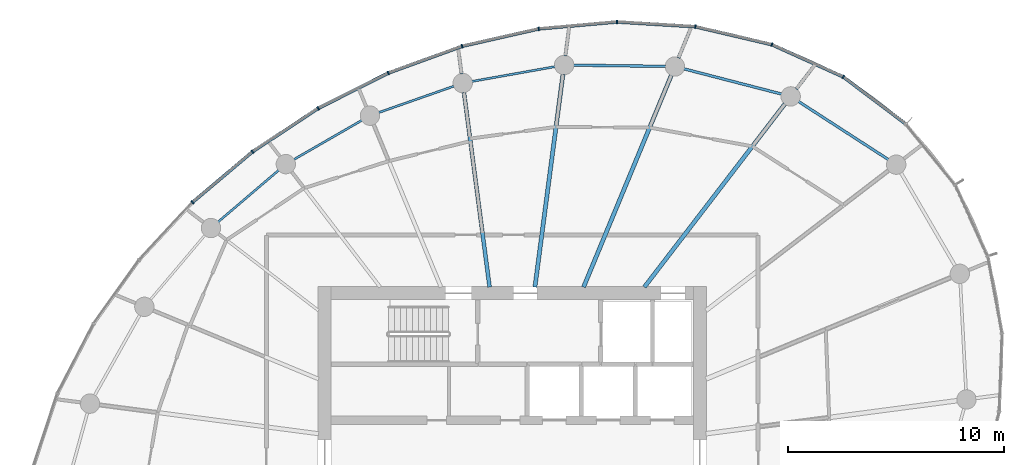
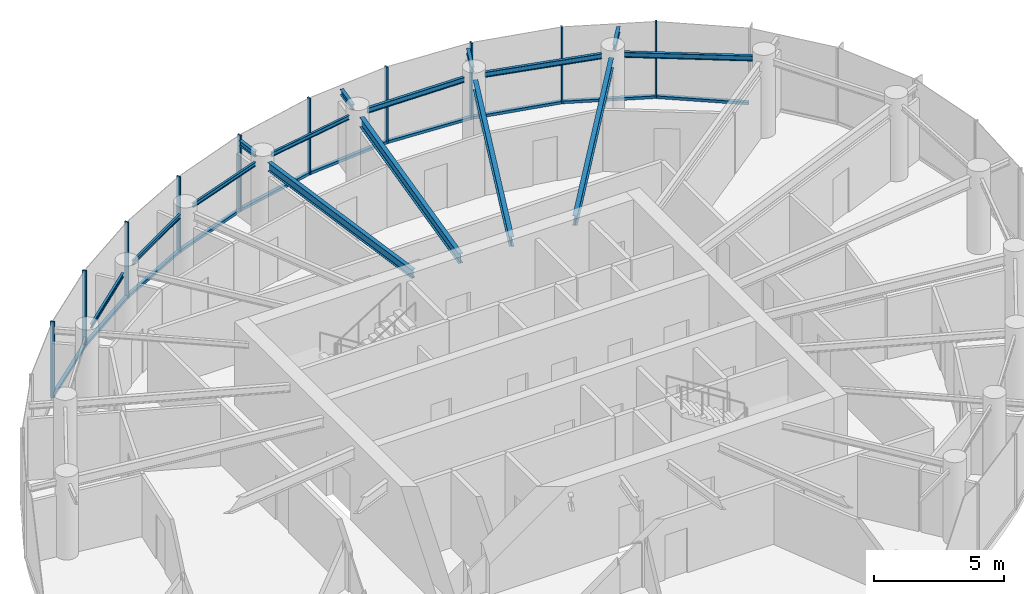
# One storey, part 6 of 15: 20 members, 15 beams, 2 elements without a shape of their own.
"""IFC4 building model written with IfcOpenShell, lengths in metres."""

from ifc_helpers import new_model, si_unit, direction, frame, origin, origin_2d, place, context, subcontext, project, spatial, rectangle, i_section, extrude, source, transform, mapped, material, layer, layer_set, material_profile, profile_set, type_object, element, aggregate, save


model = new_model("IFC4")

# Units and contexts
model_context = context("Model", 3, precision=1e-05, world=origin(), true_north=direction((0.0, 1.0)))
body_context = subcontext(model_context, "Body", "Model", "MODEL_VIEW")
ifc_project = project(units=[si_unit("LENGTHUNIT", "METRE"), si_unit("AREAUNIT", "SQUARE_METRE"), si_unit("VOLUMEUNIT", "CUBIC_METRE"), si_unit("PLANEANGLEUNIT", "RADIAN"), si_unit("MASSUNIT", "GRAM", prefix="KILO")], contexts=[model_context])

# Site, building, storey
site_placement = place(None, origin())
site = spatial("IfcSite", under=ifc_project, at=site_placement, CompositionType="ELEMENT")
building_placement = place(site_placement, origin())
building = spatial("IfcBuilding", under=site, at=building_placement, Name="Spindrift Exchange Tower", CompositionType="ELEMENT")
storey_placement = place(building_placement, frame((0.0, 0.0, 199.39990234375)))
storey = spatial("IfcBuildingStorey", under=building, at=storey_placement, Name="L48", CompositionType="ELEMENT", Elevation=199.39990234375)

# Beams
ifc_material_1 = material(Name="Steel Grade 300", Category="steel")
ifc_material_profile_1 = material_profile(ifc_material_1, i_section(OverallWidth=0.18994140625, OverallDepth=0.4541015625, WebThickness=0.008544921875, FlangeThickness=0.0126953125, FilletRadius=0.013916015625, at=origin_2d()), Name="460UB67.1")
ifc_profile_set_1 = profile_set([ifc_material_profile_1], Name="Steel Grade 300")
beam_type_1 = type_object("IfcBeamType", Name="Floor Beam 460UB67.1 Steel Grade 300", PredefinedType="BEAM", material=ifc_profile_set_1)
shared_shape_1 = source(origin(), body_context, "Body", "SweptSolid", [
    extrude(i_section(OverallWidth=0.18994140625, OverallDepth=0.4541015625, WebThickness=0.008544921875, FlangeThickness=0.0126953125, FilletRadius=0.013916015625, at=origin_2d()), origin(), (0.0, 0.0, 1.0), 10.711181640625),
])
beam_1_placement = place(storey_placement, frame((58.12646484375, 55.984130859375, 3.35302734375), z_axis=(0.608756401092, 0.793357198322, 0.0), x_axis=(-0.793357198322, 0.608756401092, 0.0)))
element("IfcBeam", 1, at=beam_1_placement, inside=storey, type_object=beam_type_1, Name="L48 radial beam R04A", PredefinedType="BEAM", context=body_context, shape_type="MappedRepresentation", body=[
    mapped(shared_shape_1, transform((0.0, 0.0, 0.0), scale=1.0)),
])
shared_shape_2 = source(origin(), body_context, "Body", "SweptSolid", [
    extrude(i_section(OverallWidth=0.18994140625, OverallDepth=0.4541015625, WebThickness=0.008544921875, FlangeThickness=0.0126953125, FilletRadius=0.013916015625, at=origin_2d()), origin(), (0.0, 0.0, 1.0), 10.64111328125),
])
beam_2_placement = place(storey_placement, frame((55.30615234375, 55.9814453125, 3.35302734375), z_axis=(0.382672627597, 0.923884007919, 0.0), x_axis=(-0.923884007919, 0.382672627597, 0.0)))
element("IfcBeam", 2, at=beam_2_placement, inside=storey, type_object=beam_type_1, Name="L48 radial beam R05A", PredefinedType="BEAM", context=body_context, shape_type="MappedRepresentation", body=[
    mapped(shared_shape_2, transform((0.0, 0.0, 0.0), scale=1.0)),
])
shared_shape_3 = source(origin(), body_context, "Body", "SweptSolid", [
    extrude(i_section(OverallWidth=0.18994140625, OverallDepth=0.4541015625, WebThickness=0.008544921875, FlangeThickness=0.0126953125, FilletRadius=0.013916015625, at=origin_2d()), origin(), (0.0, 0.0, 1.0), 9.95703125),
])
beam_3_placement = place(storey_placement, frame((53.050537109375, 55.980224609375, 3.35302734375), z_axis=(0.130541406635, 0.991442858239, 0.0), x_axis=(-0.991442858239, 0.130541406635, 0.0)))
element("IfcBeam", 3, at=beam_3_placement, inside=storey, type_object=beam_type_1, Name="L48 radial beam R06A", PredefinedType="BEAM", context=body_context, shape_type="MappedRepresentation", body=[
    mapped(shared_shape_3, transform((0.0, 0.0, 0.0), scale=1.0)),
])
ifc_material_profile_2 = material_profile(ifc_material_1, i_section(OverallWidth=0.177978515625, OverallDepth=0.403076171875, WebThickness=0.007568359375, FlangeThickness=0.010986328125, FilletRadius=0.013916015625, at=origin_2d()), Name="410UB53.7")
ifc_profile_set_2 = profile_set([ifc_material_profile_2], Name="Steel Grade 300")
beam_type_2 = type_object("IfcBeamType", Name="Floor Beam 410UB53.7 Steel Grade 300", PredefinedType="BEAM", material=ifc_profile_set_2)
shared_shape_4 = source(origin(), body_context, "Body", "SweptSolid", [
    extrude(i_section(OverallWidth=0.177978515625, OverallDepth=0.403076171875, WebThickness=0.007568359375, FlangeThickness=0.010986328125, FilletRadius=0.013916015625, at=origin_2d()), origin(), (0.0, 0.0, 1.0), 9.11376953125),
])
beam_4_placement = place(storey_placement, frame((50.949462890625, 55.980224609375, 3.378662109375), z_axis=(-0.130536972606, 0.991443442049, 0.0), x_axis=(-0.991443442049, -0.130536972606, 0.0)))
element("IfcBeam", 4, at=beam_4_placement, inside=storey, type_object=beam_type_2, Name="L48 radial beam R07A", PredefinedType="BEAM", context=body_context, shape_type="MappedRepresentation", body=[
    mapped(shared_shape_4, transform((0.0, 0.0, 0.0), scale=1.0)),
])
ifc_material_profile_3 = material_profile(ifc_material_1, i_section(OverallWidth=0.1240234375, OverallDepth=0.248046875, WebThickness=0.0048828125, FlangeThickness=0.008056640625, FilletRadius=0.011962890625, at=origin_2d()), Name="250UB25.7")
ifc_profile_set_3 = profile_set([ifc_material_profile_3], Name="Steel Grade 300")
beam_type_3 = type_object("IfcBeamType", Name="Edge Beam 250UB25.7 Steel Grade 300", PredefinedType="SPANDREL", material=ifc_profile_set_3)
shared_shape_5 = source(origin(), body_context, "Body", "SweptSolid", [
    extrude(i_section(OverallWidth=0.1240234375, OverallDepth=0.248046875, WebThickness=0.0048828125, FlangeThickness=0.008056640625, FilletRadius=0.011962890625, at=origin_2d()), origin(), (0.0, 0.0, 1.0), 4.966552734375),
])
beam_5_placement = place(storey_placement, frame((69.44091796875, 61.893310546875, 3.4560546875), z_axis=(-0.839802198579, 0.54289250065, 0.0), x_axis=(-0.54289250065, -0.839802198579, 0.0)))
element("IfcBeam", 5, at=beam_5_placement, inside=storey, type_object=beam_type_3, Name="L48 edge beam E03", PredefinedType="SPANDREL", context=body_context, shape_type="MappedRepresentation", body=[
    mapped(shared_shape_5, transform((0.0, 0.0, 0.0), scale=1.0)),
])
shared_shape_6 = source(origin(), body_context, "Body", "SweptSolid", [
    extrude(i_section(OverallWidth=0.1240234375, OverallDepth=0.248046875, WebThickness=0.0048828125, FlangeThickness=0.008056640625, FilletRadius=0.011962890625, at=origin_2d()), origin(), (0.0, 0.0, 1.0), 4.682373046875),
])
beam_6_placement = place(storey_placement, frame((64.492431640625, 64.9306640625, 3.4560546875), z_axis=(-0.968201586176, 0.250171318352, 0.0), x_axis=(-0.250171318352, -0.968201586176, 0.0)))
element("IfcBeam", 6, at=beam_6_placement, inside=storey, type_object=beam_type_3, Name="L48 edge beam E04", PredefinedType="SPANDREL", context=body_context, shape_type="MappedRepresentation", body=[
    mapped(shared_shape_6, transform((0.0, 0.0, 0.0), scale=1.0)),
])
shared_shape_7 = source(origin(), body_context, "Body", "SweptSolid", [
    extrude(i_section(OverallWidth=0.1240234375, OverallDepth=0.248046875, WebThickness=0.0048828125, FlangeThickness=0.008056640625, FilletRadius=0.011962890625, at=origin_2d()), origin(), (0.0, 0.0, 1.0), 4.27685546875),
])
beam_7_placement = place(storey_placement, frame((59.11279296875, 66.21533203125, 3.4560546875), z_axis=(-0.999910013527, 0.013415097807, 0.0), x_axis=(-0.013415097807, -0.999910013527, 0.0)))
element("IfcBeam", 7, at=beam_7_placement, inside=storey, type_object=beam_type_3, Name="L48 edge beam E05", PredefinedType="SPANDREL", context=body_context, shape_type="MappedRepresentation", body=[
    mapped(shared_shape_7, transform((0.0, 0.0, 0.0), scale=1.0)),
])
ifc_material_profile_4 = material_profile(ifc_material_1, i_section(OverallWidth=0.09912109375, OverallDepth=0.197998046875, WebThickness=0.00439453125, FlangeThickness=0.007080078125, FilletRadius=0.010986328125, at=origin_2d()), Name="200UB18.2")
ifc_profile_set_4 = profile_set([ifc_material_profile_4], Name="Steel Grade 300")
beam_type_4 = type_object("IfcBeamType", Name="Edge Beam 200UB18.2 Steel Grade 300", PredefinedType="SPANDREL", material=ifc_profile_set_4)
shared_shape_8 = source(origin(), body_context, "Body", "SweptSolid", [
    extrude(i_section(OverallWidth=0.09912109375, OverallDepth=0.197998046875, WebThickness=0.00439453125, FlangeThickness=0.007080078125, FilletRadius=0.010986328125, at=origin_2d()), origin(), (0.0, 0.0, 1.0), 3.916259765625),
])
beam_8_placement = place(storey_placement, frame((53.98291015625, 66.203125, 3.481201171875), z_axis=(-0.984558687682, -0.175054821441, 0.0), x_axis=(0.175054821441, -0.984558687682, 0.0)))
element("IfcBeam", 8, at=beam_8_placement, inside=storey, type_object=beam_type_4, Name="L48 edge beam E06", PredefinedType="SPANDREL", context=body_context, shape_type="MappedRepresentation", body=[
    mapped(shared_shape_8, transform((0.0, 0.0, 0.0), scale=1.0)),
])
shared_shape_9 = source(origin(), body_context, "Body", "SweptSolid", [
    extrude(i_section(OverallWidth=0.09912109375, OverallDepth=0.197998046875, WebThickness=0.00439453125, FlangeThickness=0.007080078125, FilletRadius=0.010986328125, at=origin_2d()), origin(), (0.0, 0.0, 1.0), 3.700439453125),
])
beam_9_placement = place(storey_placement, frame((49.298095703125, 65.300048828125, 3.481201171875), z_axis=(-0.943515334916, -0.331328858957, 0.0), x_axis=(0.331328858957, -0.943515334916, 0.0)))
element("IfcBeam", 9, at=beam_9_placement, inside=storey, type_object=beam_type_4, Name="L48 edge beam E07", PredefinedType="SPANDREL", context=body_context, shape_type="MappedRepresentation", body=[
    mapped(shared_shape_9, transform((0.0, 0.0, 0.0), scale=1.0)),
])
shared_shape_10 = source(origin(), body_context, "Body", "SweptSolid", [
    extrude(i_section(OverallWidth=0.09912109375, OverallDepth=0.197998046875, WebThickness=0.00439453125, FlangeThickness=0.007080078125, FilletRadius=0.010986328125, at=origin_2d()), origin(), (0.0, 0.0, 1.0), 3.64208984375),
])
beam_10_placement = place(storey_placement, frame((45.028564453125, 63.716552734375, 3.481201171875), z_axis=(-0.866364093123, -0.499412913476, 0.0), x_axis=(0.499412913476, -0.866364093123, 0.0)))
element("IfcBeam", 10, at=beam_10_placement, inside=storey, type_object=beam_type_4, Name="L48 edge beam E08", PredefinedType="SPANDREL", context=body_context, shape_type="MappedRepresentation", body=[
    mapped(shared_shape_10, transform((0.0, 0.0, 0.0), scale=1.0)),
])
shared_shape_11 = source(origin(), body_context, "Body", "SweptSolid", [
    extrude(i_section(OverallWidth=0.09912109375, OverallDepth=0.197998046875, WebThickness=0.00439453125, FlangeThickness=0.007080078125, FilletRadius=0.010986328125, at=origin_2d()), origin(), (0.0, 0.0, 1.0), 3.703857421875),
])
beam_11_placement = place(storey_placement, frame((41.173583984375, 61.40380859375, 3.481201171875), z_axis=(-0.7606692863, -0.64913961278, 0.0), x_axis=(0.64913961278, -0.7606692863, 0.0)))
element("IfcBeam", 11, at=beam_11_placement, inside=storey, type_object=beam_type_4, Name="L48 edge beam E09", PredefinedType="SPANDREL", context=body_context, shape_type="MappedRepresentation", body=[
    mapped(shared_shape_11, transform((0.0, 0.0, 0.0), scale=1.0)),
])
ifc_material_profile_5 = material_profile(ifc_material_1, i_section(OverallWidth=0.14599609375, OverallDepth=0.251953125, WebThickness=0.006103515625, FlangeThickness=0.008544921875, FilletRadius=0.011962890625, at=origin_2d()), Name="250UB31.4")
ifc_profile_set_5 = profile_set([ifc_material_profile_5], Name="Steel Grade 300")
beam_type_5 = type_object("IfcBeamType", Name="Cantilever Beam 250UB31.4 Steel Grade 300", PredefinedType="BEAM", material=ifc_profile_set_5)
shared_shape_12 = source(origin(), body_context, "Body", "SweptSolid", [
    extrude(i_section(OverallWidth=0.14599609375, OverallDepth=0.251953125, WebThickness=0.006103515625, FlangeThickness=0.008544921875, FilletRadius=0.011962890625, at=origin_2d()), origin(), (0.0, 0.0, 1.0), 1.241455078125),
])
beam_12_placement = place(storey_placement, frame((65.170654296875, 65.164306640625, 3.4541015625), z_axis=(0.608712274702, 0.793391055298, 0.0), x_axis=(-0.793391055298, 0.608712274702, 0.0)))
element("IfcBeam", 12, at=beam_12_placement, inside=storey, type_object=beam_type_5, Name="L48 cantilever beam R04T", PredefinedType="BEAM", context=body_context, shape_type="MappedRepresentation", body=[
    mapped(shared_shape_12, transform((0.0, 0.0, 0.0), scale=1.0)),
])
shared_shape_13 = source(origin(), body_context, "Body", "SweptSolid", [
    extrude(i_section(OverallWidth=0.14599609375, OverallDepth=0.251953125, WebThickness=0.006103515625, FlangeThickness=0.008544921875, FilletRadius=0.011962890625, at=origin_2d()), origin(), (0.0, 0.0, 1.0), 1.282958984375),
])
beam_13_placement = place(storey_placement, frame((59.707275390625, 66.60693359375, 3.4541015625), z_axis=(0.382682320503, 0.923879993059, 0.0), x_axis=(-0.923879993059, 0.382682320503, 0.0)))
element("IfcBeam", 13, at=beam_13_placement, inside=storey, type_object=beam_type_5, Name="L48 cantilever beam R05T", PredefinedType="BEAM", context=body_context, shape_type="MappedRepresentation", body=[
    mapped(shared_shape_13, transform((0.0, 0.0, 0.0), scale=1.0)),
])
shared_shape_14 = source(origin(), body_context, "Body", "SweptSolid", [
    extrude(i_section(OverallWidth=0.14599609375, OverallDepth=0.251953125, WebThickness=0.006103515625, FlangeThickness=0.008544921875, FilletRadius=0.011962890625, at=origin_2d()), origin(), (0.0, 0.0, 1.0), 1.15380859375),
])
beam_14_placement = place(storey_placement, frame((54.46240234375, 66.70458984375, 3.4541015625), z_axis=(0.130542080409, 0.991442769525, 0.0), x_axis=(-0.991442769525, 0.130542080409, 0.0)))
element("IfcBeam", 14, at=beam_14_placement, inside=storey, type_object=beam_type_5, Name="L48 cantilever beam R06T", PredefinedType="BEAM", context=body_context, shape_type="MappedRepresentation", body=[
    mapped(shared_shape_14, transform((0.0, 0.0, 0.0), scale=1.0)),
])
shared_shape_15 = source(origin(), body_context, "Body", "SweptSolid", [
    extrude(i_section(OverallWidth=0.14599609375, OverallDepth=0.251953125, WebThickness=0.006103515625, FlangeThickness=0.008544921875, FilletRadius=0.011962890625, at=origin_2d()), origin(), (0.0, 0.0, 1.0), 0.9619140625),
])
beam_15_placement = place(storey_placement, frame((49.6474609375, 65.868896484375, 3.4541015625), z_axis=(-0.130467644579, 0.991452567558, 0.0), x_axis=(-0.991452567558, -0.130467644579, 0.0)))
element("IfcBeam", 15, at=beam_15_placement, inside=storey, type_object=beam_type_5, Name="L48 cantilever beam R07T", PredefinedType="BEAM", context=body_context, shape_type="MappedRepresentation", body=[
    mapped(shared_shape_15, transform((0.0, 0.0, 0.0), scale=1.0)),
])

# Curtain wall, members
ifc_material_2 = material(Name="Fritted laminated glass with bronze frame", Category="glass")
ifc_layer = layer(ifc_material_2, 0.169921875)
ifc_layer_set = layer_set([ifc_layer], Name="ZONE 4 BRONZE FRITTED WALL")
curtain_wall_type = type_object("IfcCurtainWallType", Name="ZONE 4 BRONZE FRITTED WALL", PredefinedType="NOTDEFINED", material=ifc_layer_set)
curtain_wall_1_placement = place(storey_placement, origin())
curtain_wall_1 = element("IfcCurtainWall", 16, at=curtain_wall_1_placement, inside=storey, type_object=curtain_wall_type, Name="L48 Zone 4 Bronze Fritted Wall run 2", PredefinedType="NOTDEFINED")
ifc_material_3 = material(Name="Bronze anodised aluminium", Category="aluminium")
ifc_material_profile_6 = material_profile(ifc_material_3, rectangle(XDim=0.14990234375, YDim=0.125, at=origin_2d()), Name="ZONE 4 BRONZE FRITTED WALL TRANSOM 150X125")
ifc_profile_set_6 = profile_set([ifc_material_profile_6], Name="Bronze anodised aluminium")
member_type_1 = type_object("IfcMemberType", Name="ZONE 4 BRONZE FRITTED WALL TRANSOM 150X125", PredefinedType="USERDEFINED", material=ifc_profile_set_6)
shared_shape_16 = source(origin(), body_context, "Body", "SweptSolid", [
    extrude(rectangle(XDim=0.14990234375, YDim=0.125, at=origin_2d()), origin(), (0.0, 0.0, 1.0), 3.57763671875),
])
member_1_placement = place(storey_placement, frame((49.64404296875, 67.141357421875, 0.0625), z_axis=(-0.940014386039, -0.341134803325, 0.0), x_axis=(0.341134803325, -0.940014386039, 0.0)))
member_1 = element("IfcMember", 17, at=member_1_placement, type_object=member_type_1, Name="L48 transom CW-4.8", ObjectType="TRANSOM", PredefinedType="USERDEFINED", context=body_context, shape_type="MappedRepresentation", body=[
    mapped(shared_shape_16, transform((0.0, 0.0, 0.0), scale=1.0)),
])
member_2_placement = place(storey_placement, frame((39.932861328125, 62.24169921875, 0.0625), z_axis=(-0.764415491098, -0.644723938573, 0.0), x_axis=(0.644723938573, -0.764415491098, 0.0)))
member_2 = element("IfcMember", 18, at=member_2_placement, type_object=member_type_1, Name="L48 transom CW-4.11", ObjectType="TRANSOM", PredefinedType="USERDEFINED", context=body_context, shape_type="MappedRepresentation", body=[
    mapped(shared_shape_16, transform((0.0, 0.0, 0.0), scale=1.0)),
])
shared_shape_17 = source(origin(), body_context, "Body", "SweptSolid", [
    extrude(rectangle(XDim=0.14990234375, YDim=0.125, at=origin_2d()), origin(), (0.0, 0.0, 1.0), 3.577880859375),
])
member_3_placement = place(storey_placement, frame((42.970458984375, 64.251708984375, 0.0625), z_axis=(-0.83454038333, -0.550946774735, 0.0), x_axis=(0.550946774735, -0.83454038333, 0.0)))
member_3 = element("IfcMember", 19, at=member_3_placement, type_object=member_type_1, Name="L48 transom CW-4.10", ObjectType="TRANSOM", PredefinedType="USERDEFINED", context=body_context, shape_type="MappedRepresentation", body=[
    mapped(shared_shape_17, transform((0.0, 0.0, 0.0), scale=1.0)),
])
shared_shape_18 = source(origin(), body_context, "Body", "SweptSolid", [
    extrude(rectangle(XDim=0.14990234375, YDim=0.125, at=origin_2d()), origin(), (0.0, 0.0, 1.0), 3.577392578125),
])
member_4_placement = place(storey_placement, frame((53.19482421875, 67.951904296875, 0.0625), z_axis=(-0.975169714006, -0.221458864997, 0.0), x_axis=(0.221458864997, -0.975169714006, 0.0)))
member_4 = element("IfcMember", 20, at=member_4_placement, type_object=member_type_1, Name="L48 transom CW-4.7", ObjectType="TRANSOM", PredefinedType="USERDEFINED", context=body_context, shape_type="MappedRepresentation", body=[
    mapped(shared_shape_18, transform((0.0, 0.0, 0.0), scale=1.0)),
])

curtain_wall_2_placement = place(storey_placement, origin())
curtain_wall_2 = element("IfcCurtainWall", 21, at=curtain_wall_2_placement, inside=storey, type_object=curtain_wall_type, Name="L48 Zone 4 Bronze Fritted Wall run 1", PredefinedType="NOTDEFINED")
ifc_material_profile_7 = material_profile(ifc_material_3, rectangle(XDim=0.06494140625, YDim=0.169921875, at=origin_2d()), Name="ZONE 4 BRONZE FRITTED WALL MULLION 65X170")
ifc_profile_set_7 = profile_set([ifc_material_profile_7], Name="Bronze anodised aluminium")
member_type_2 = type_object("IfcMemberType", Name="ZONE 4 BRONZE FRITTED WALL MULLION 65X170", PredefinedType="MULLION", material=ifc_profile_set_7)
shared_shape_19 = source(origin(), body_context, "Body", "SweptSolid", [
    extrude(rectangle(XDim=0.06494140625, YDim=0.169921875, at=origin_2d()), origin(), (0.0, 0.0, 1.0), 3.580078125),
])
member_5_placement = place(storey_placement, frame((67.34814453125, 65.731201171875, 0.0), z_axis=(0.0, 0.0, 1.0), x_axis=(-0.860309285482, 0.50977243287, 0.0)))
member_5 = element("IfcMember", 22, at=member_5_placement, type_object=member_type_2, Name="L48 mullion CW-4.3", PredefinedType="MULLION", context=body_context, shape_type="MappedRepresentation", body=[
    mapped(shared_shape_19, transform((0.0, 0.0, 0.0), scale=1.0)),
])
member_6_placement = place(storey_placement, frame((64.0322265625, 67.22900390625, 0.0), z_axis=(0.0, 0.0, 1.0), x_axis=(-0.946946929195, 0.321389970733, 0.0)))
member_6 = element("IfcMember", 23, at=member_6_placement, type_object=member_type_2, Name="L48 mullion CW-4.4", PredefinedType="MULLION", context=body_context, shape_type="MappedRepresentation", body=[
    mapped(shared_shape_19, transform((0.0, 0.0, 0.0), scale=1.0)),
])
member_7_placement = place(storey_placement, frame((60.48828125, 68.059326171875, 0.0), z_axis=(0.0, 0.0, 1.0), x_axis=(-0.989430771714, 0.145006027411, 0.0)))
member_7 = element("IfcMember", 24, at=member_7_placement, type_object=member_type_2, Name="L48 mullion CW-4.5", PredefinedType="MULLION", context=body_context, shape_type="MappedRepresentation", body=[
    mapped(shared_shape_19, transform((0.0, 0.0, 0.0), scale=1.0)),
])
member_8_placement = place(storey_placement, frame((56.85400390625, 68.281005859375, 0.0), z_axis=(0.0, 0.0, 1.0), x_axis=(-0.99990493335, -0.01378855547, 0.0)))
member_8 = element("IfcMember", 25, at=member_8_placement, type_object=member_type_2, Name="L48 mullion CW-4.6", PredefinedType="MULLION", context=body_context, shape_type="MappedRepresentation", body=[
    mapped(shared_shape_19, transform((0.0, 0.0, 0.0), scale=1.0)),
])

# Member
member_9_placement = place(storey_placement, frame((53.2265625, 67.958984375, 0.0), z_axis=(0.0, 0.0, 1.0), x_axis=(-0.987874230865, -0.155256252672, 0.0)))
member_9 = element("IfcMember", 26, at=member_9_placement, type_object=member_type_2, Name="L48 mullion CW-4.7", PredefinedType="MULLION", context=body_context, shape_type="MappedRepresentation", body=[
    mapped(shared_shape_19, transform((0.0, 0.0, 0.0), scale=1.0)),
])

member_10_placement = place(storey_placement, frame((49.674560546875, 67.152587890625, 0.0), z_axis=(0.0, 0.0, 1.0), x_axis=(-0.95945879118, -0.281848945408, 0.0)))
member_10 = element("IfcMember", 27, at=member_10_placement, type_object=member_type_2, Name="L48 mullion CW-4.8", PredefinedType="MULLION", context=body_context, shape_type="MappedRepresentation", body=[
    mapped(shared_shape_19, transform((0.0, 0.0, 0.0), scale=1.0)),
])

member_11_placement = place(storey_placement, frame((46.25048828125, 65.909912109375, 0.0), z_axis=(0.0, 0.0, 1.0), x_axis=(-0.918076235222, -0.396403867691, 0.0)))
member_11 = element("IfcMember", 28, at=member_11_placement, type_object=member_type_2, Name="L48 mullion CW-4.9", PredefinedType="MULLION", context=body_context, shape_type="MappedRepresentation", body=[
    mapped(shared_shape_19, transform((0.0, 0.0, 0.0), scale=1.0)),
])

member_12_placement = place(storey_placement, frame((42.997802734375, 64.26953125, 0.0), z_axis=(0.0, 0.0, 1.0), x_axis=(-0.865193434791, -0.501438251827, 0.0)))
member_12 = element("IfcMember", 29, at=member_12_placement, type_object=member_type_2, Name="L48 mullion CW-4.10", PredefinedType="MULLION", context=body_context, shape_type="MappedRepresentation", body=[
    mapped(shared_shape_19, transform((0.0, 0.0, 0.0), scale=1.0)),
])

member_13_placement = place(storey_placement, frame((39.95751953125, 62.2626953125, 0.0), z_axis=(0.0, 0.0, 1.0), x_axis=(-0.800853531186, -0.598860268833, 0.0)))
member_13 = element("IfcMember", 30, at=member_13_placement, type_object=member_type_2, Name="L48 mullion CW-4.11", PredefinedType="MULLION", context=body_context, shape_type="MappedRepresentation", body=[
    mapped(shared_shape_19, transform((0.0, 0.0, 0.0), scale=1.0)),
])

member_14_placement = place(storey_placement, frame((37.173095703125, 59.9140625, 0.0), z_axis=(0.0, 0.0, 1.0), x_axis=(-0.723871829311, -0.68993447133, 0.0)))
member_14 = element("IfcMember", 31, at=member_14_placement, type_object=member_type_2, Name="L48 mullion CW-4.12", PredefinedType="MULLION", context=body_context, shape_type="MappedRepresentation", body=[
    mapped(shared_shape_19, transform((0.0, 0.0, 0.0), scale=1.0)),
])

shared_shape_20 = source(origin(), body_context, "Body", "SweptSolid", [
    extrude(rectangle(XDim=0.14990234375, YDim=0.125, at=origin_2d()), origin(), (0.0, 0.0, 1.0), 3.578125),
])
member_15_placement = place(storey_placement, frame((46.221435546875, 65.895263671875, 0.0625), z_axis=(-0.892893554188, -0.450267810186, 0.0), x_axis=(0.450267810186, -0.892893554188, 0.0)))
member_15 = element("IfcMember", 32, at=member_15_placement, type_object=member_type_1, Name="L48 transom CW-4.9", ObjectType="TRANSOM", PredefinedType="USERDEFINED", context=body_context, shape_type="MappedRepresentation", body=[
    mapped(shared_shape_20, transform((0.0, 0.0, 0.0), scale=1.0)),
])

aggregate(curtain_wall_1, [member_9, member_4, member_10, member_1, member_11, member_15, member_12, member_3, member_13, member_2, member_14])

shared_shape_21 = source(origin(), body_context, "Body", "SweptSolid", [
    extrude(rectangle(XDim=0.14990234375, YDim=0.125, at=origin_2d()), origin(), (0.0, 0.0, 1.0), 3.576904296875),
])
member_16_placement = place(storey_placement, frame((56.82177734375, 68.278076171875, 0.0625), z_axis=(-0.99608613927, -0.088387799805, 0.0), x_axis=(0.088387799805, -0.99608613927, 0.0)))
member_16 = element("IfcMember", 33, at=member_16_placement, type_object=member_type_1, Name="L48 transom CW-4.6", ObjectType="TRANSOM", PredefinedType="USERDEFINED", context=body_context, shape_type="MappedRepresentation", body=[
    mapped(shared_shape_21, transform((0.0, 0.0, 0.0), scale=1.0)),
])

shared_shape_22 = source(origin(), body_context, "Body", "SweptSolid", [
    extrude(rectangle(XDim=0.14990234375, YDim=0.125, at=origin_2d()), origin(), (0.0, 0.0, 1.0), 3.571533203125),
])
member_17_placement = place(storey_placement, frame((70.226806640625, 63.562744140625, 0.0625), z_axis=(-0.798743228458, 0.60167204937, 0.0), x_axis=(-0.60167204937, -0.798743228458, 0.0)))
member_17 = element("IfcMember", 34, at=member_17_placement, type_object=member_type_1, Name="L48 transom CW-4.2", ObjectType="TRANSOM", PredefinedType="USERDEFINED", context=body_context, shape_type="MappedRepresentation", body=[
    mapped(shared_shape_22, transform((0.0, 0.0, 0.0), scale=1.0)),
])

shared_shape_23 = source(origin(), body_context, "Body", "SweptSolid", [
    extrude(rectangle(XDim=0.14990234375, YDim=0.125, at=origin_2d()), origin(), (0.0, 0.0, 1.0), 3.5732421875),
])
member_18_placement = place(storey_placement, frame((67.318359375, 65.74462890625, 0.0625), z_axis=(-0.911335045368, 0.411665440721, 0.0), x_axis=(-0.411665440721, -0.911335045368, 0.0)))
member_18 = element("IfcMember", 35, at=member_18_placement, type_object=member_type_1, Name="L48 transom CW-4.3", ObjectType="TRANSOM", PredefinedType="USERDEFINED", context=body_context, shape_type="MappedRepresentation", body=[
    mapped(shared_shape_23, transform((0.0, 0.0, 0.0), scale=1.0)),
])

shared_shape_24 = source(origin(), body_context, "Body", "SweptSolid", [
    extrude(rectangle(XDim=0.14990234375, YDim=0.125, at=origin_2d()), origin(), (0.0, 0.0, 1.0), 3.574951171875),
])
member_19_placement = place(storey_placement, frame((64.000732421875, 67.236328125, 0.0625), z_axis=(-0.973623659121, 0.228159966692, 0.0), x_axis=(-0.228159966692, -0.973623659121, 0.0)))
member_19 = element("IfcMember", 36, at=member_19_placement, type_object=member_type_1, Name="L48 transom CW-4.4", ObjectType="TRANSOM", PredefinedType="USERDEFINED", context=body_context, shape_type="MappedRepresentation", body=[
    mapped(shared_shape_24, transform((0.0, 0.0, 0.0), scale=1.0)),
])

shared_shape_25 = source(origin(), body_context, "Body", "SweptSolid", [
    extrude(rectangle(XDim=0.14990234375, YDim=0.125, at=origin_2d()), origin(), (0.0, 0.0, 1.0), 3.576171875),
])
member_20_placement = place(storey_placement, frame((60.4560546875, 68.061279296875, 0.0625), z_axis=(-0.99814832954, 0.060826903879, 0.0), x_axis=(-0.060826903879, -0.99814832954, 0.0)))
member_20 = element("IfcMember", 37, at=member_20_placement, type_object=member_type_1, Name="L48 transom CW-4.5", ObjectType="TRANSOM", PredefinedType="USERDEFINED", context=body_context, shape_type="MappedRepresentation", body=[
    mapped(shared_shape_25, transform((0.0, 0.0, 0.0), scale=1.0)),
])

aggregate(curtain_wall_2, [member_17, member_5, member_18, member_6, member_19, member_7, member_20, member_8, member_16])

save(model, "model.ifc")
